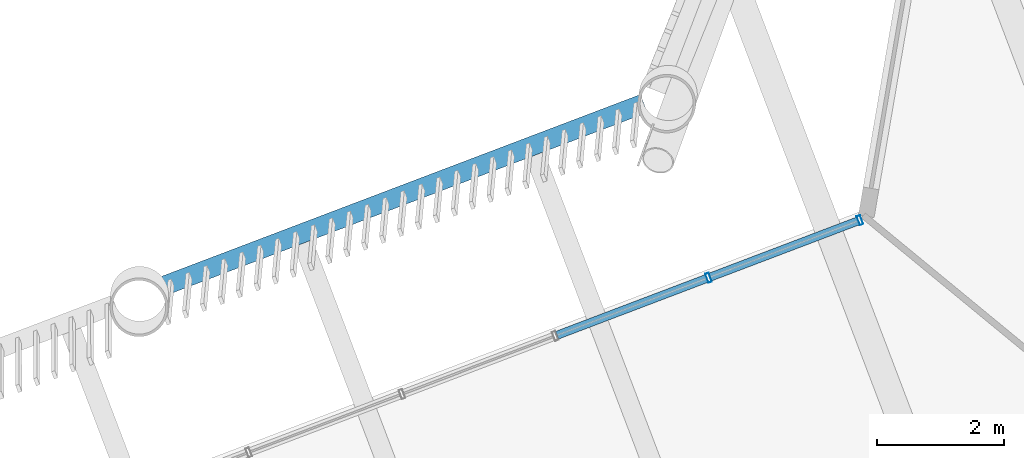
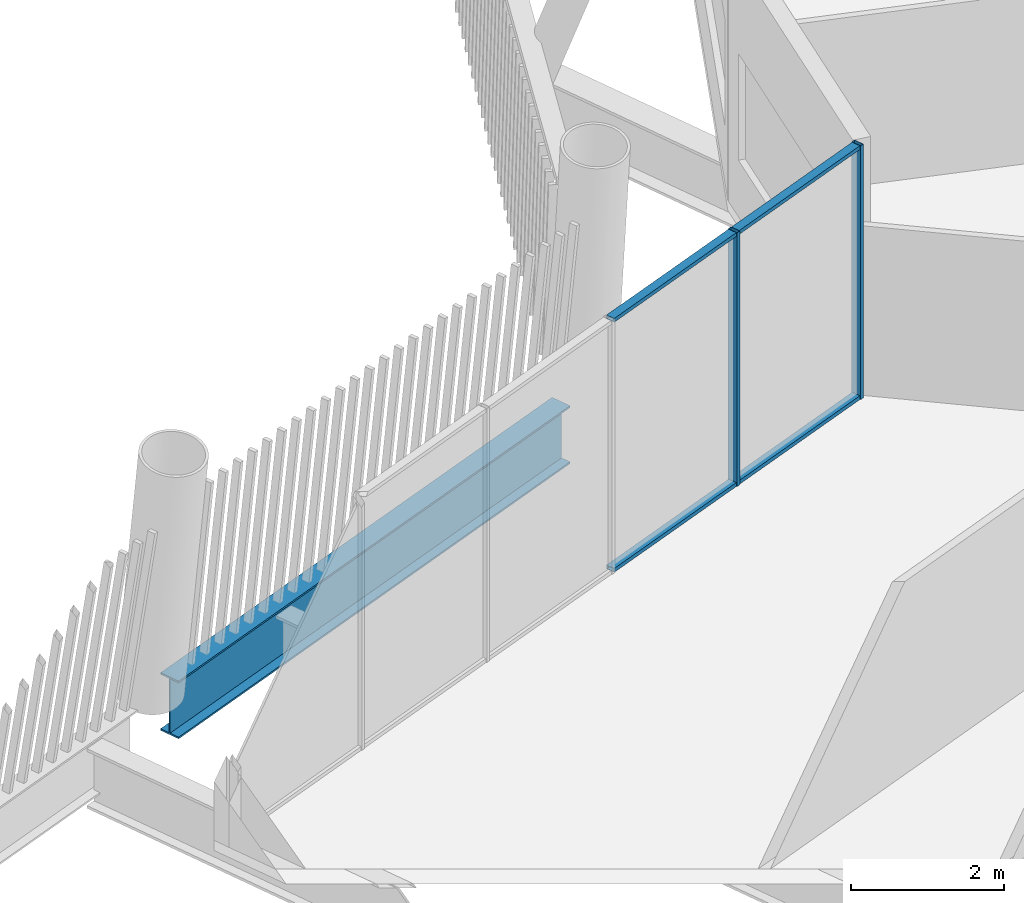
# One storey, part 13 of 33: 6 members, 1 beam, 1 element without a shape of its own.
"""IFC4 building model written with IfcOpenShell, lengths in metres."""

from ifc_helpers import new_model, si_unit, direction, frame, origin, origin_2d, place, context, subcontext, project, spatial, hollow_rectangle, i_section, extrude, material, layer, layer_set, material_profile, profile_set, type_object, element, aggregate, save


model = new_model("IFC4")

# Units and contexts
model_context = context("Model", 3, precision=1e-05, world=origin(), true_north=direction((0.0, 1.0)))
body_context = subcontext(model_context, "Body", "Model", "MODEL_VIEW")
ifc_project = project(units=[si_unit("LENGTHUNIT", "METRE"), si_unit("AREAUNIT", "SQUARE_METRE"), si_unit("VOLUMEUNIT", "CUBIC_METRE"), si_unit("PLANEANGLEUNIT", "RADIAN"), si_unit("MASSUNIT", "GRAM", prefix="KILO")], contexts=[model_context])

# Site, building, storey
site_placement = place(None, origin())
site = spatial("IfcSite", under=ifc_project, at=site_placement, CompositionType="ELEMENT")
building_placement = place(site_placement, origin())
building = spatial("IfcBuilding", under=site, at=building_placement, Name="Tarsis Ring Headquarters", CompositionType="ELEMENT")
storey_placement = place(building_placement, frame((0.0, 0.0, 369.199951171875)))
storey = spatial("IfcBuildingStorey", under=building, at=storey_placement, Name="L87", CompositionType="ELEMENT", Elevation=369.199951171875)

# Curtain wall, members
ifc_material_1 = material(Name="Aluminium curtain wall", Category="aluminium")
ifc_layer = layer(ifc_material_1, 0.14990234375)
ifc_layer_set = layer_set([ifc_layer], Name="Curtain wall tower unit")
curtain_wall_type = type_object("IfcCurtainWallType", Name="Curtain wall tower unit", PredefinedType="NOTDEFINED", material=ifc_layer_set)
curtain_wall_placement = place(storey_placement, origin())
curtain_wall = element("IfcCurtainWall", 1, at=curtain_wall_placement, inside=storey, type_object=curtain_wall_type, Name="Curtain wall L87-31", PredefinedType="NOTDEFINED")
ifc_material_2 = material(Name="Aluminium mullion", Category="aluminium")
ifc_material_profile_1 = material_profile(ifc_material_2, hollow_rectangle(XDim=0.14990234375, YDim=0.06005859375, WallThickness=0.0048828125, at=origin_2d()), Name="RHS 150x60x5")
ifc_profile_set_1 = profile_set([ifc_material_profile_1], Name="Aluminium mullion")
member_type_1 = type_object("IfcMemberType", Name="Curtain wall mullion tower unit RHS 150x60x5", PredefinedType="MULLION", material=ifc_profile_set_1)
member_1_placement = place(storey_placement, frame((-25.6044921875, 2.9765625, 0.0), z_axis=(0.0, 0.0, 1.0), x_axis=(0.355106944477, -0.934825683207, 0.0)))
member_1 = element("IfcMember", 2, at=member_1_placement, type_object=member_type_1, Name="CW-T mullion 1", PredefinedType="MULLION", context=body_context, shape_type="SweptSolid", body=[
    extrude(hollow_rectangle(XDim=0.14990234375, YDim=0.06005859375, WallThickness=0.0048828125, at=origin_2d()), origin(), (0.0, 0.0, 1.0), 4.0400390625),
])
member_2_placement = place(storey_placement, frame((-27.988525390625, 2.071044921875, 0.0), z_axis=(0.0, 0.0, 1.0), x_axis=(0.355106944477, -0.934825683207, 0.0)))
member_2 = element("IfcMember", 3, at=member_2_placement, type_object=member_type_1, Name="CW-T mullion 2", PredefinedType="MULLION", context=body_context, shape_type="SweptSolid", body=[
    extrude(hollow_rectangle(XDim=0.14990234375, YDim=0.06005859375, WallThickness=0.0048828125, at=origin_2d()), origin(), (0.0, 0.0, 1.0), 4.0400390625),
])
ifc_material_3 = material(Name="Aluminium transom", Category="aluminium")
ifc_material_profile_2 = material_profile(ifc_material_3, hollow_rectangle(XDim=0.1298828125, YDim=0.06005859375, WallThickness=0.0048828125, at=origin_2d()), Name="RHS 130x60x5")
ifc_profile_set_2 = profile_set([ifc_material_profile_2], Name="Aluminium transom")
member_type_2 = type_object("IfcMemberType", Name="Curtain wall transom tower unit RHS 130x60x5", PredefinedType="USERDEFINED", material=ifc_profile_set_2)
member_3_placement = place(storey_placement, frame((-25.632568359375, 2.966064453125, 0.030029296875), z_axis=(-0.934825895267, -0.355106386225, 0.0), x_axis=(0.355106386225, -0.934825895267, 0.0)))
member_3 = element("IfcMember", 4, at=member_3_placement, type_object=member_type_2, Name="CW-T transom 1.1", ObjectType="TRANSOM", PredefinedType="USERDEFINED", context=body_context, shape_type="SweptSolid", body=[
    extrude(hollow_rectangle(XDim=0.1298828125, YDim=0.06005859375, WallThickness=0.0048828125, at=origin_2d()), origin(), (0.0, 0.0, 1.0), 2.490234375),
])
member_4_placement = place(storey_placement, frame((-25.632568359375, 2.966064453125, 4.010009765625), z_axis=(-0.934825895267, -0.355106386225, 0.0), x_axis=(0.355106386225, -0.934825895267, 0.0)))
member_4 = element("IfcMember", 5, at=member_4_placement, type_object=member_type_2, Name="CW-T transom 1.2", ObjectType="TRANSOM", PredefinedType="USERDEFINED", context=body_context, shape_type="SweptSolid", body=[
    extrude(hollow_rectangle(XDim=0.1298828125, YDim=0.06005859375, WallThickness=0.0048828125, at=origin_2d()), origin(), (0.0, 0.0, 1.0), 2.490234375),
])
member_5_placement = place(storey_placement, frame((-28.0166015625, 2.060302734375, 0.030029296875), z_axis=(-0.934847900565, -0.355048451354, 0.0), x_axis=(0.355048451354, -0.934847900565, 0.0)))
member_5 = element("IfcMember", 6, at=member_5_placement, type_object=member_type_2, Name="CW-T transom 2.1", ObjectType="TRANSOM", PredefinedType="USERDEFINED", context=body_context, shape_type="SweptSolid", body=[
    extrude(hollow_rectangle(XDim=0.1298828125, YDim=0.06005859375, WallThickness=0.0048828125, at=origin_2d()), origin(), (0.0, 0.0, 1.0), 2.520263671875),
])
member_6_placement = place(storey_placement, frame((-28.0166015625, 2.060302734375, 4.010009765625), z_axis=(-0.934847900565, -0.355048451354, 0.0), x_axis=(0.355048451354, -0.934847900565, 0.0)))
member_6 = element("IfcMember", 7, at=member_6_placement, type_object=member_type_2, Name="CW-T transom 2.2", ObjectType="TRANSOM", PredefinedType="USERDEFINED", context=body_context, shape_type="SweptSolid", body=[
    extrude(hollow_rectangle(XDim=0.1298828125, YDim=0.06005859375, WallThickness=0.0048828125, at=origin_2d()), origin(), (0.0, 0.0, 1.0), 2.520263671875),
])
aggregate(curtain_wall, [member_1, member_2, member_3, member_4, member_5, member_6])

# Beam
ifc_material_4 = material(Name="Structural steel S355", Category="steel")
ifc_material_profile_3 = material_profile(ifc_material_4, i_section(OverallWidth=0.3046875, OverallDepth=0.91943359375, WebThickness=0.017333984375, FlangeThickness=0.02783203125, at=origin_2d()), Name="W36x170")
ifc_profile_set_3 = profile_set([ifc_material_profile_3], Name="Structural steel S355")
beam_type = type_object("IfcBeamType", Name="XG Ring girder W36x170", PredefinedType="BEAM", material=ifc_profile_set_3)
beam_placement = place(storey_placement, frame((-29.006591796875, 4.813232421875, -0.459716796875), z_axis=(-0.934820500294, -0.355120588294, 0.0), x_axis=(0.355120588294, -0.934820500294, 0.0)))
element("IfcBeam", 8, at=beam_placement, inside=storey, type_object=beam_type, Name="Ring girder XG4", PredefinedType="BEAM", context=body_context, shape_type="SweptSolid", body=[
    extrude(i_section(OverallWidth=0.3046875, OverallDepth=0.91943359375, WebThickness=0.017333984375, FlangeThickness=0.02783203125, at=origin_2d()), origin(), (0.0, 0.0, 1.0), 8.079345703125),
])

save(model, "model.ifc")
